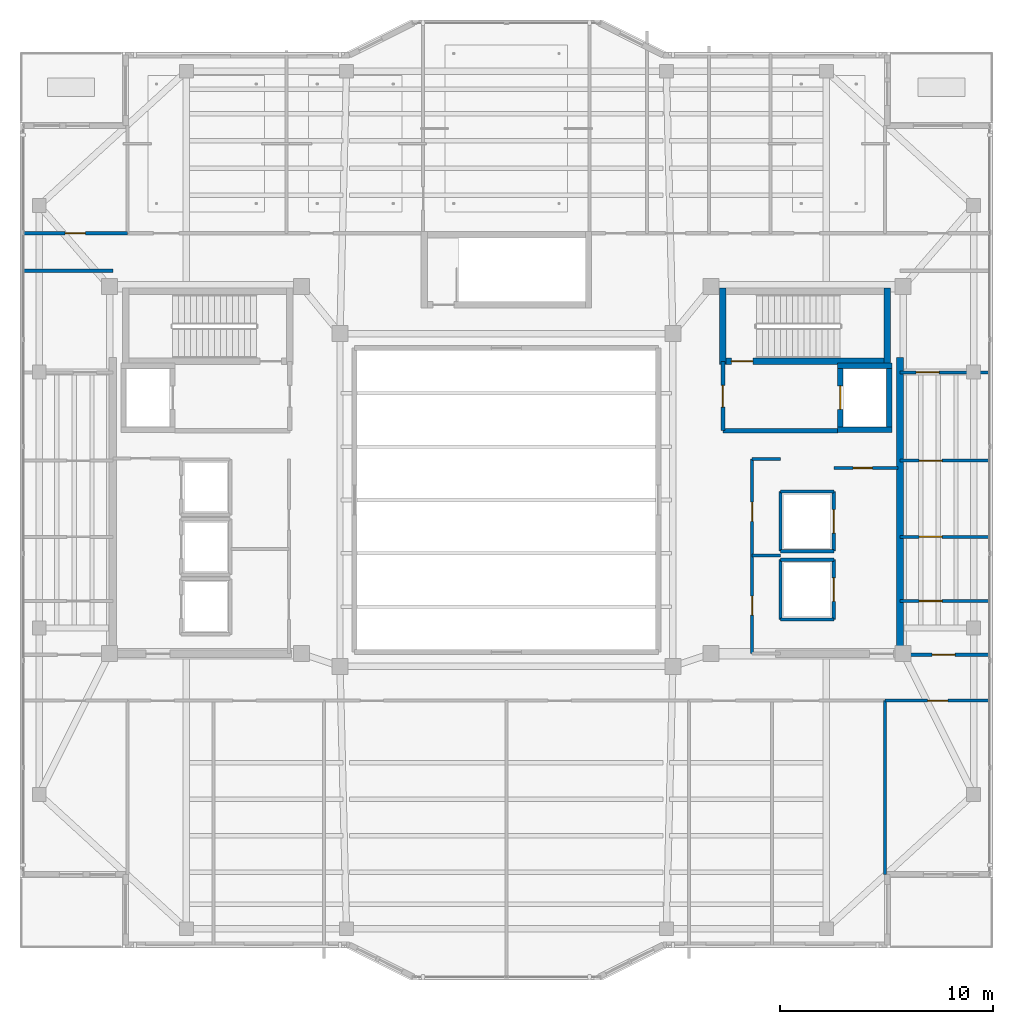
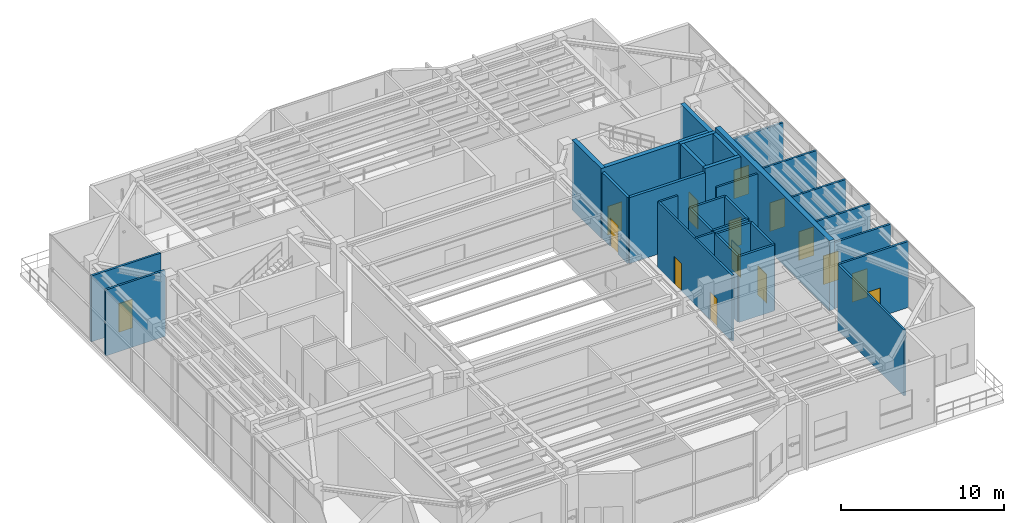
# One storey, part 16 of 23: 31 walls, 15 doors, 15 openings.
"""IFC4 building model written with IfcOpenShell, lengths in metres."""

from ifc_helpers import new_model, si_unit, direction, frame, frame_2d, origin, place, context, subcontext, project, spatial, rectangle, extrude, material, layer, layer_set, type_object, element, fill, save


model = new_model("IFC4")

# Units and contexts
model_context = context("Model", 3, precision=1e-05, world=origin(), true_north=direction((0.0, 1.0)))
body_context = subcontext(model_context, "Body", "Model", "MODEL_VIEW")
ifc_project = project(units=[si_unit("LENGTHUNIT", "METRE"), si_unit("AREAUNIT", "SQUARE_METRE"), si_unit("VOLUMEUNIT", "CUBIC_METRE"), si_unit("PLANEANGLEUNIT", "RADIAN"), si_unit("MASSUNIT", "GRAM", prefix="KILO")], contexts=[model_context])

# Site, building, storey
site_placement = place(None, origin())
site = spatial("IfcSite", under=ifc_project, at=site_placement, CompositionType="ELEMENT")
building_placement = place(site_placement, origin())
building = spatial("IfcBuilding", under=site, at=building_placement, Name="Tarnavaz Court Tower", CompositionType="ELEMENT")
storey_placement = place(building_placement, frame((0.0, 0.0, 276.300048828125)))
storey = spatial("IfcBuildingStorey", under=building, at=storey_placement, Name="L75", CompositionType="ELEMENT", Elevation=276.300048828125)

# Wall, opening, door
ifc_material_1 = material(Name="Concrete C50/60", Category="concrete")
ifc_layer_1 = layer(ifc_material_1, 0.25)
ifc_layer_set_1 = layer_set([ifc_layer_1], Name="Concrete C50/60")
wall_type_1 = type_object("IfcWallType", Name="WL-CORE-250-C50", PredefinedType="SHEAR", material=ifc_layer_set_1)
wall_1_placement = place(storey_placement, frame((15.64990234375, 3.175048828125, 0.0), z_axis=(0.0, 0.0, 1.0), x_axis=(0.0, 1.0, 0.0)))
wall_1 = element("IfcWall", 1, at=wall_1_placement, inside=storey, type_object=wall_type_1, Name="L75 Lift FL-E1 Shaft Wall 033", PredefinedType="SHEAR", context=body_context, shape_type="SweptSolid", body=[
    extrude(rectangle(XDim=3.25, YDim=0.25, at=frame_2d((1.625, 0.0))), origin(), (0.0, 0.0, 1.0), 5.25),
])
opening_1_placement = place(wall_1_placement, frame((1.074951171875, 0.0, 0.0)))
opening_1 = element("IfcOpeningElement", 2, at=opening_1_placement, cuts=wall_1, Name="Opening LD1", PredefinedType="OPENING", context=body_context, shape_type="SweptSolid", body=[
    extrude(rectangle(XDim=1.10009765625, YDim=2.14990234375, at=frame_2d((0.550048828125, 1.074951171875))), frame((0.0, 0.135009765625, 0.0), z_axis=(0.0, -1.0, 0.0), x_axis=(1.0, 0.0, 0.0)), (0.0, 0.0, 1.0), 0.27001953125),
])
ifc_material_2 = material(Name="Stainless Steel", Category="steel")
door_type_1 = type_object("IfcDoorType", Name="DR-LD-1100", OperationType="NOTDEFINED", PredefinedType="DOOR", material=ifc_material_2)
door_1_placement = place(opening_1_placement, origin())
door_1 = element("IfcDoor", 3, at=door_1_placement, inside=storey, type_object=door_type_1, Name="L75 Lift Landing Door LD-FL-E1", OperationType="SLIDING_TO_LEFT", OverallHeight=2.14990234375, OverallWidth=1.10009765625, PredefinedType="DOOR", context=body_context, shape_type="SweptSolid", body=[
    extrude(rectangle(XDim=1.10009765625, YDim=2.14990234375, at=frame_2d((0.550048828125, 1.074951171875))), frame((0.0, 0.02490234375, 0.0), z_axis=(0.0, -1.0, 0.0), x_axis=(1.0, 0.0, 0.0)), (0.0, 0.0, 1.0), 0.050048828125),
])
fill(opening_1, door_1)

# Walls
wall_2_placement = place(storey_placement, frame((17.949951171875, 3.175048828125, 0.0), z_axis=(0.0, 0.0, 1.0), x_axis=(0.0, 1.0, 0.0)))
element("IfcWall", 4, at=wall_2_placement, inside=storey, type_object=wall_type_1, Name="L75 Lift FL-E1 Shaft Wall 034", PredefinedType="SHEAR", context=body_context, shape_type="SweptSolid", body=[
    extrude(rectangle(XDim=3.25, YDim=0.25, at=frame_2d((1.625, 0.0))), origin(), (0.0, 0.0, 1.0), 5.25),
])
for number, where, z_axis, x_axis, name in (
    (5, (15.52490234375, 3.300048828125, 0.0), (0.0, 0.0, 1.0), (1.0, 0.0, 0.0), "L75 Lift FL-E1 Shaft Wall 035"),
    (6, (15.52490234375, 6.300048828125, 0.0), (0.0, 0.0, 1.0), (1.0, 0.0, 0.0), "L75 Lift FL-E1 Shaft Wall 036"),
):
    element("IfcWall", number, at=place(storey_placement, frame(where, z_axis=z_axis, x_axis=x_axis)), inside=storey, type_object=wall_type_1, Name=name, PredefinedType="SHEAR", context=body_context, shape_type="SweptSolid", body=[
        extrude(rectangle(XDim=2.550048828125, YDim=0.25, at=frame_2d((1.27490234375, 0.0))), origin(), (0.0, 0.0, 1.0), 5.25),
    ])

# Wall, opening, door
ifc_layer_2 = layer(ifc_material_1, 0.300048828125)
ifc_layer_set_2 = layer_set([ifc_layer_2], Name="Concrete C50/60")
wall_type_2 = type_object("IfcWallType", Name="WL-CORE-300-C50", PredefinedType="SHEAR", material=ifc_layer_set_2)
wall_3_placement = place(storey_placement, frame((10.0, 6.5, 0.0), z_axis=(0.0, 0.0, 1.0), x_axis=(1.0, 0.0, 0.0)))
wall_3 = element("IfcWall", 7, at=wall_3_placement, inside=storey, type_object=wall_type_2, Name="L75 East Stair Core Wall 006", PredefinedType="SHEAR", context=body_context, shape_type="SweptSolid", body=[
    extrude(rectangle(XDim=8.0, YDim=0.300048828125, at=frame_2d((4.0, 0.0))), origin(), (0.0, 0.0, 1.0), 5.25),
])
opening_2_placement = place(wall_3_placement, frame((0.550048828125, 0.0, 0.0)))
opening_2 = element("IfcOpeningElement", 8, at=opening_2_placement, cuts=wall_3, Name="Opening D01", PredefinedType="OPENING", context=body_context, shape_type="SweptSolid", body=[
    extrude(rectangle(XDim=1.0, YDim=2.14990234375, at=frame_2d((0.5, 1.074951171875))), frame((0.0, 0.159912109375, 0.0), z_axis=(0.0, -1.0, 0.0), x_axis=(1.0, 0.0, 0.0)), (0.0, 0.0, 1.0), 0.320068359375),
])
ifc_material_3 = material(Name="Fire-Rated Hardwood Timber Core", Category="wood")
door_type_2 = type_object("IfcDoorType", Name="DR-FD90-1000", OperationType="NOTDEFINED", PredefinedType="DOOR", material=ifc_material_3)
door_2_placement = place(opening_2_placement, origin())
door_2 = element("IfcDoor", 9, at=door_2_placement, inside=storey, type_object=door_type_2, Name="L75 Stair ST-E1 Exit Door", OperationType="SINGLE_SWING_RIGHT", OverallHeight=2.14990234375, OverallWidth=1.0, PredefinedType="DOOR", context=body_context, shape_type="SweptSolid", body=[
    extrude(rectangle(XDim=1.0, YDim=2.14990234375, at=frame_2d((0.5, 1.074951171875))), frame((0.0, 0.02490234375, 0.0), z_axis=(0.0, -1.0, 0.0), x_axis=(1.0, 0.0, 0.0)), (0.0, 0.0, 1.0), 0.050048828125),
])
fill(opening_2, door_2)

# Walls
for number, where, z_axis, x_axis, name in (
    (10, (10.14990234375, 6.35009765625, 0.0), (0.0, 0.0, 1.0), (0.0, 1.0, 0.0), "L75 East Stair Core Wall 007"),
    (11, (17.85009765625, 6.35009765625, 0.0), (0.0, 0.0, 1.0), (0.0, 1.0, 0.0), "L75 East Stair Core Wall 008"),
):
    element("IfcWall", number, at=place(storey_placement, frame(where, z_axis=z_axis, x_axis=x_axis)), inside=storey, type_object=wall_type_2, Name=name, PredefinedType="SHEAR", context=body_context, shape_type="SweptSolid", body=[
        extrude(rectangle(XDim=3.58984375, YDim=0.300048828125, at=frame_2d((1.794921875, 0.0))), origin(), (0.0, 0.0, 1.0), 5.25),
    ])
ifc_layer_3 = layer(ifc_material_1, 0.35009765625)
ifc_layer_set_3 = layer_set([ifc_layer_3], Name="Concrete C50/60")
wall_type_3 = type_object("IfcWallType", Name="WL-CORE-350-C50", PredefinedType="SHEAR", material=ifc_layer_set_3)
wall_4_placement = place(storey_placement, frame((18.449951171875, -7.375, 0.0), z_axis=(0.0, 0.0, 1.0), x_axis=(0.0, 1.0, 0.0)))
element("IfcWall", 12, at=wall_4_placement, inside=storey, type_object=wall_type_3, Name="L75 East Core Shear Wall 047", PredefinedType="SHEAR", context=body_context, shape_type="SweptSolid", body=[
    extrude(rectangle(XDim=14.050048828125, YDim=0.35009765625, at=frame_2d((7.02490234375, 0.0))), origin(), (0.0, 0.0, 1.0), 5.25),
])

# Wall, opening, door
ifc_material_4 = material(Name="Gypsum Fire-Board on Acoustic Metal Stud", Category="masonry")
ifc_layer_4 = layer(ifc_material_4, 0.14990234375)
ifc_layer_set_4 = layer_set([ifc_layer_4], Name="Gypsum Fire-Board on Acoustic Metal Stud")
wall_type_4 = type_object("IfcWallType", Name="WL-FIRE-150", PredefinedType="PARTITIONING", material=ifc_layer_set_4)
wall_5_placement = place(storey_placement, frame((18.449951171875, -7.25, 0.0), z_axis=(0.0, 0.0, 1.0), x_axis=(1.0, 0.0, 0.0)))
wall_5 = element("IfcWall", 13, at=wall_5_placement, inside=storey, type_object=wall_type_4, Name="L75 Interior Partition 074", PredefinedType="PARTITIONING", context=body_context, shape_type="SweptSolid", body=[
    extrude(rectangle(XDim=4.22998046875, YDim=0.14990234375, at=frame_2d((2.114990234375, 0.0))), origin(), (0.0, 0.0, 1.0), 4.949951171875),
])
opening_3_placement = place(wall_5_placement, frame((1.5, 0.0, 0.0)))
opening_3 = element("IfcOpeningElement", 14, at=opening_3_placement, cuts=wall_5, Name="Opening D12", PredefinedType="OPENING", context=body_context, shape_type="SweptSolid", body=[
    extrude(rectangle(XDim=1.080078125, YDim=2.14990234375, at=frame_2d((0.5400390625, 1.074951171875))), frame((0.0, 0.0849609375, 0.0), z_axis=(0.0, -1.0, 0.0), x_axis=(1.0, 0.0, 0.0)), (0.0, 0.0, 1.0), 0.169921875),
])
ifc_material_5 = material(Name="Engineered Oak Timber", Category="wood")
door_type_3 = type_object("IfcDoorType", Name="DR-INT-1100", OperationType="NOTDEFINED", PredefinedType="DOOR", material=ifc_material_5)
door_3_placement = place(opening_3_placement, origin())
door_3 = element("IfcDoor", 15, at=door_3_placement, inside=storey, type_object=door_type_3, Name="L75 East Suite Room 1 Door", OperationType="SINGLE_SWING_LEFT", OverallHeight=2.14990234375, OverallWidth=1.080078125, PredefinedType="DOOR", context=body_context, shape_type="SweptSolid", body=[
    extrude(rectangle(XDim=1.080078125, YDim=2.14990234375, at=frame_2d((0.5400390625, 1.074951171875))), frame((0.0, 0.02490234375, 0.0), z_axis=(0.0, -1.0, 0.0), x_axis=(1.0, 0.0, 0.0)), (0.0, 0.0, 1.0), 0.050048828125),
])
fill(opening_3, door_3)

# Wall
wall_6_placement = place(storey_placement, frame((-22.679931640625, 10.75, 0.0), z_axis=(0.0, 0.0, 1.0), x_axis=(1.0, 0.0, 0.0)))
element("IfcWall", 16, at=wall_6_placement, inside=storey, type_object=wall_type_4, Name="L75 Interior Partition 075", PredefinedType="PARTITIONING", context=body_context, shape_type="SweptSolid", body=[
    extrude(rectangle(XDim=4.22998046875, YDim=0.14990234375, at=frame_2d((2.114990234375, 0.0))), origin(), (0.0, 0.0, 1.0), 4.949951171875),
])

# Wall, opening, door
wall_7_placement = place(storey_placement, frame((-22.679931640625, 12.5, 0.0), z_axis=(0.0, 0.0, 1.0), x_axis=(1.0, 0.0, 0.0)))
wall_7 = element("IfcWall", 17, at=wall_7_placement, inside=storey, type_object=wall_type_4, Name="L75 Interior Partition 081", PredefinedType="PARTITIONING", context=body_context, shape_type="SweptSolid", body=[
    extrude(rectangle(XDim=4.929931640625, YDim=0.14990234375, at=frame_2d((2.46484375, 0.0))), origin(), (0.0, 0.0, 1.0), 4.949951171875),
])
opening_4_placement = place(wall_7_placement, frame((1.989990234375, 0.0, 0.0)))
opening_4 = element("IfcOpeningElement", 18, at=opening_4_placement, cuts=wall_7, Name="Opening D13", PredefinedType="OPENING", context=body_context, shape_type="SweptSolid", body=[
    extrude(rectangle(XDim=0.949951171875, YDim=2.14990234375, at=frame_2d((0.47509765625, 1.074951171875))), frame((0.0, 0.0849609375, 0.0), z_axis=(0.0, -1.0, 0.0), x_axis=(1.0, 0.0, 0.0)), (0.0, 0.0, 1.0), 0.169921875),
])
door_type_4 = type_object("IfcDoorType", Name="DR-INT-950", OperationType="NOTDEFINED", PredefinedType="DOOR", material=ifc_material_5)
door_4_placement = place(opening_4_placement, origin())
door_4 = element("IfcDoor", 19, at=door_4_placement, inside=storey, type_object=door_type_4, Name="L75 NW Terrace Salon Door", OperationType="SINGLE_SWING_RIGHT", OverallHeight=2.14990234375, OverallWidth=0.949951171875, PredefinedType="DOOR", context=body_context, shape_type="SweptSolid", body=[
    extrude(rectangle(XDim=0.949951171875, YDim=2.14990234375, at=frame_2d((0.47509765625, 1.074951171875))), frame((0.0, 0.02490234375, 0.0), z_axis=(0.0, -1.0, 0.0), x_axis=(1.0, 0.0, 0.0)), (0.0, 0.0, 1.0), 0.050048828125),
])
fill(opening_4, door_4)

wall_8_placement = place(storey_placement, frame((17.75, -9.39990234375, 0.0), z_axis=(0.0, 0.0, 1.0), x_axis=(1.0, 0.0, 0.0)))
wall_8 = element("IfcWall", 20, at=wall_8_placement, inside=storey, type_object=wall_type_4, Name="L75 Interior Partition 084", PredefinedType="PARTITIONING", context=body_context, shape_type="SweptSolid", body=[
    extrude(rectangle(XDim=4.929931640625, YDim=0.14990234375, at=frame_2d((2.46484375, 0.0))), origin(), (0.0, 0.0, 1.0), 4.949951171875),
])
opening_5_placement = place(wall_8_placement, frame((1.989990234375, 0.0, 0.0)))
opening_5 = element("IfcOpeningElement", 21, at=opening_5_placement, cuts=wall_8, Name="Opening D13", PredefinedType="OPENING", context=body_context, shape_type="SweptSolid", body=[
    extrude(rectangle(XDim=0.949951171875, YDim=2.14990234375, at=frame_2d((0.47509765625, 1.074951171875))), frame((0.0, 0.0849609375, 0.0), z_axis=(0.0, -1.0, 0.0), x_axis=(1.0, 0.0, 0.0)), (0.0, 0.0, 1.0), 0.169921875),
])
door_5_placement = place(opening_5_placement, origin())
door_5 = element("IfcDoor", 22, at=door_5_placement, inside=storey, type_object=door_type_4, Name="L75 SE Terrace Salon Door", OperationType="SINGLE_SWING_LEFT", OverallHeight=2.14990234375, OverallWidth=0.949951171875, PredefinedType="DOOR", context=body_context, shape_type="SweptSolid", body=[
    extrude(rectangle(XDim=0.949951171875, YDim=2.14990234375, at=frame_2d((0.47509765625, 1.074951171875))), frame((0.0, 0.02490234375, 0.0), z_axis=(0.0, -1.0, 0.0), x_axis=(1.0, 0.0, 0.0)), (0.0, 0.0, 1.0), 0.050048828125),
])
fill(opening_5, door_5)

# Wall
ifc_material_6 = material(Name="Autoclaved Aerated Concrete Blockwork", Category="masonry")
ifc_layer_5 = layer(ifc_material_6, 0.199951171875)
ifc_layer_set_5 = layer_set([ifc_layer_5], Name="Autoclaved Aerated Concrete Blockwork")
wall_type_5 = type_object("IfcWallType", Name="WL-FIRE-200", PredefinedType="SOLIDWALL", material=ifc_layer_set_5)
wall_9_placement = place(storey_placement, frame((10.14990234375, 3.25, 0.0), z_axis=(0.0, 0.0, 1.0), x_axis=(1.0, 0.0, 0.0)))
element("IfcWall", 23, at=wall_9_placement, inside=storey, type_object=wall_type_5, Name="L75 East Firefighting Lobby Wall 015", PredefinedType="SOLIDWALL", context=body_context, shape_type="SweptSolid", body=[
    extrude(rectangle(XDim=5.400146484375, YDim=0.199951171875, at=frame_2d((2.7001953125, 0.0))), origin(), (0.0, 0.0, 1.0), 4.949951171875),
])

# Wall, opening, door
wall_10_placement = place(storey_placement, frame((10.14990234375, 3.25, 0.0), z_axis=(0.0, 0.0, 1.0), x_axis=(0.0, 1.0, 0.0)))
wall_10 = element("IfcWall", 24, at=wall_10_placement, inside=storey, type_object=wall_type_5, Name="L75 East Firefighting Lobby Wall 016", PredefinedType="SOLIDWALL", context=body_context, shape_type="SweptSolid", body=[
    extrude(rectangle(XDim=3.25, YDim=0.199951171875, at=frame_2d((1.625, 0.0))), origin(), (0.0, 0.0, 1.0), 4.949951171875),
])
opening_6_placement = place(wall_10_placement, frame((1.10009765625, 0.0, 0.0)))
opening_6 = element("IfcOpeningElement", 25, at=opening_6_placement, cuts=wall_10, Name="Opening D05", PredefinedType="OPENING", context=body_context, shape_type="SweptSolid", body=[
    extrude(rectangle(XDim=1.02001953125, YDim=2.14990234375, at=frame_2d((0.510009765625, 1.074951171875))), frame((0.0, 0.10986328125, 0.0), z_axis=(0.0, -1.0, 0.0), x_axis=(1.0, 0.0, 0.0)), (0.0, 0.0, 1.0), 0.219970703125),
])
door_type_5 = type_object("IfcDoorType", Name="DR-FD60-1000", OperationType="NOTDEFINED", PredefinedType="DOOR", material=ifc_material_3)
door_6_placement = place(opening_6_placement, origin())
door_6 = element("IfcDoor", 26, at=door_6_placement, inside=storey, type_object=door_type_5, Name="L75 East Firefighting Lobby Door", OperationType="SINGLE_SWING_LEFT", OverallHeight=2.14990234375, OverallWidth=1.02001953125, PredefinedType="DOOR", context=body_context, shape_type="SweptSolid", body=[
    extrude(rectangle(XDim=1.02001953125, YDim=2.14990234375, at=frame_2d((0.510009765625, 1.074951171875))), frame((0.0, 0.02490234375, 0.0), z_axis=(0.0, -1.0, 0.0), x_axis=(1.0, 0.0, 0.0)), (0.0, 0.0, 1.0), 0.050048828125),
])
fill(opening_6, door_6)

ifc_material_7 = material(Name="Gypsum Plasterboard Acoustic Partition", Category="masonry")
ifc_layer_6 = layer(ifc_material_7, 0.139892578125)
ifc_layer_set_6 = layer_set([ifc_layer_6], Name="Gypsum Plasterboard Acoustic Partition")
wall_type_6 = type_object("IfcWallType", Name="WL-PART-150", PredefinedType="PARTITIONING", material=ifc_layer_set_6)
wall_11_placement = place(storey_placement, frame((15.35009765625, 1.5, 0.0), z_axis=(0.0, 0.0, 1.0), x_axis=(1.0, 0.0, 0.0)))
wall_11 = element("IfcWall", 27, at=wall_11_placement, inside=storey, type_object=wall_type_6, Name="L75 Interior Partition 052", PredefinedType="PARTITIONING", context=body_context, shape_type="SweptSolid", body=[
    extrude(rectangle(XDim=3.0, YDim=0.139892578125, at=frame_2d((1.5, 0.0))), origin(), (0.0, 0.0, 1.0), 4.949951171875),
])
opening_7_placement = place(wall_11_placement, frame((0.89990234375, 0.0, 0.0)))
opening_7 = element("IfcOpeningElement", 28, at=opening_7_placement, cuts=wall_11, Name="Opening D09", PredefinedType="OPENING", context=body_context, shape_type="SweptSolid", body=[
    extrude(rectangle(XDim=0.89990234375, YDim=2.080078125, at=frame_2d((0.449951171875, 1.0400390625))), frame((0.0, 0.079833984375, 0.0), z_axis=(0.0, -1.0, 0.0), x_axis=(1.0, 0.0, 0.0)), (0.0, 0.0, 1.0), 0.159912109375),
])
door_type_6 = type_object("IfcDoorType", Name="DR-FD30-900", OperationType="NOTDEFINED", PredefinedType="DOOR", material=ifc_material_3)
door_7_placement = place(opening_7_placement, origin())
door_7 = element("IfcDoor", 29, at=door_7_placement, inside=storey, type_object=door_type_6, Name="L75 East Comms Plant Door", OperationType="SINGLE_SWING_RIGHT", OverallHeight=2.080078125, OverallWidth=0.89990234375, PredefinedType="DOOR", context=body_context, shape_type="SweptSolid", body=[
    extrude(rectangle(XDim=0.89990234375, YDim=2.080078125, at=frame_2d((0.449951171875, 1.0400390625))), frame((0.0, 0.02490234375, 0.0), z_axis=(0.0, -1.0, 0.0), x_axis=(1.0, 0.0, 0.0)), (0.0, 0.0, 1.0), 0.050048828125),
])
fill(opening_7, door_7)

# Wall, openings, doors
wall_12_placement = place(storey_placement, frame((11.52001953125, -7.199951171875, 0.0), z_axis=(0.0, 0.0, 1.0), x_axis=(0.0, 1.0, 0.0)))
wall_12 = element("IfcWall", 30, at=wall_12_placement, inside=storey, type_object=wall_type_6, Name="L75 Interior Partition 053", PredefinedType="PARTITIONING", context=body_context, shape_type="SweptSolid", body=[
    extrude(rectangle(XDim=9.119873046875, YDim=0.139892578125, at=frame_2d((4.56005859375, 0.0))), origin(), (0.0, 0.0, 1.0), 4.949951171875),
])
opening_8_placement = place(wall_12_placement, frame((1.800048828125, 0.0, 0.0)))
opening_8 = element("IfcOpeningElement", 31, at=opening_8_placement, cuts=wall_12, Name="Opening D09", PredefinedType="OPENING", context=body_context, shape_type="SweptSolid", body=[
    extrude(rectangle(XDim=0.89990234375, YDim=2.080078125, at=frame_2d((0.449951171875, 1.0400390625))), frame((0.0, 0.079833984375, 0.0), z_axis=(0.0, -1.0, 0.0), x_axis=(1.0, 0.0, 0.0)), (0.0, 0.0, 1.0), 0.159912109375),
])
opening_9_placement = place(wall_12_placement, frame((6.199951171875, 0.0, 0.0)))
opening_9 = element("IfcOpeningElement", 32, at=opening_9_placement, cuts=wall_12, Name="Opening D09", PredefinedType="OPENING", context=body_context, shape_type="SweptSolid", body=[
    extrude(rectangle(XDim=0.89990234375, YDim=2.080078125, at=frame_2d((0.449951171875, 1.0400390625))), frame((0.0, 0.079833984375, 0.0), z_axis=(0.0, -1.0, 0.0), x_axis=(1.0, 0.0, 0.0)), (0.0, 0.0, 1.0), 0.159912109375),
])
door_8_placement = place(opening_8_placement, origin())
door_8 = element("IfcDoor", 33, at=door_8_placement, inside=storey, type_object=door_type_6, Name="L75 East Sky Housekeeping Door", OperationType="SINGLE_SWING_LEFT", OverallHeight=2.080078125, OverallWidth=0.89990234375, PredefinedType="DOOR", context=body_context, shape_type="SweptSolid", body=[
    extrude(rectangle(XDim=0.89990234375, YDim=2.080078125, at=frame_2d((0.449951171875, 1.0400390625))), frame((0.0, 0.02490234375, 0.0), z_axis=(0.0, -1.0, 0.0), x_axis=(1.0, 0.0, 0.0)), (0.0, 0.0, 1.0), 0.050048828125),
])
fill(opening_8, door_8)
door_9_placement = place(opening_9_placement, origin())
door_9 = element("IfcDoor", 34, at=door_9_placement, inside=storey, type_object=door_type_6, Name="L75 East Sky Meter Room Door", OperationType="SINGLE_SWING_RIGHT", OverallHeight=2.080078125, OverallWidth=0.89990234375, PredefinedType="DOOR", context=body_context, shape_type="SweptSolid", body=[
    extrude(rectangle(XDim=0.89990234375, YDim=2.080078125, at=frame_2d((0.449951171875, 1.0400390625))), frame((0.0, 0.02490234375, 0.0), z_axis=(0.0, -1.0, 0.0), x_axis=(1.0, 0.0, 0.0)), (0.0, 0.0, 1.0), 0.050048828125),
])
fill(opening_9, door_9)

# Walls
for number, where, z_axis, x_axis, name in (
    (35, (11.52001953125, 1.919921875, 0.0), (0.0, 0.0, 1.0), (1.0, 0.0, 0.0), "L75 Interior Partition 054"),
    (36, (11.52001953125, -2.60009765625, 0.0), (0.0, 0.0, 1.0), (1.0, 0.0, 0.0), "L75 Interior Partition 056"),
):
    element("IfcWall", number, at=place(storey_placement, frame(where, z_axis=z_axis, x_axis=x_axis)), inside=storey, type_object=wall_type_6, Name=name, PredefinedType="PARTITIONING", context=body_context, shape_type="SweptSolid", body=[
        extrude(rectangle(XDim=1.330078125, YDim=0.139892578125, at=frame_2d((0.6650390625, 0.0))), origin(), (0.0, 0.0, 1.0), 4.949951171875),
    ])
wall_13_placement = place(storey_placement, frame((17.75, -17.550048828125, 0.0), z_axis=(0.0, 0.0, 1.0), x_axis=(0.0, 1.0, 0.0)))
element("IfcWall", 37, at=wall_13_placement, inside=storey, type_object=wall_type_6, Name="L75 Interior Partition 078", PredefinedType="PARTITIONING", context=body_context, shape_type="SweptSolid", body=[
    extrude(rectangle(XDim=8.150146484375, YDim=0.139892578125, at=frame_2d((4.0751953125, 0.0))), origin(), (0.0, 0.0, 1.0), 4.949951171875),
])

# Wall, opening, door
wall_14_placement = place(storey_placement, frame((18.449951171875, -4.73291015625, 0.0), z_axis=(0.0, 0.0, 1.0), x_axis=(1.0, 0.0, 0.0)))
wall_14 = element("IfcWall", 38, at=wall_14_placement, inside=storey, type_object=wall_type_6, Name="L75 Interior Partition 089", PredefinedType="PARTITIONING", context=body_context, shape_type="SweptSolid", body=[
    extrude(rectangle(XDim=4.22998046875, YDim=0.139892578125, at=frame_2d((2.114990234375, 0.0))), origin(), (0.0, 0.0, 1.0), 4.949951171875),
])
opening_10_placement = place(wall_14_placement, frame((0.89990234375, 0.0, 0.0)))
opening_10 = element("IfcOpeningElement", 39, at=opening_10_placement, cuts=wall_14, Name="Opening D12", PredefinedType="OPENING", context=body_context, shape_type="SweptSolid", body=[
    extrude(rectangle(XDim=1.080078125, YDim=2.14990234375, at=frame_2d((0.5400390625, 1.074951171875))), frame((0.0, 0.079833984375, 0.0), z_axis=(0.0, -1.0, 0.0), x_axis=(1.0, 0.0, 0.0)), (0.0, 0.0, 1.0), 0.159912109375),
])
door_10_placement = place(opening_10_placement, origin())
door_10 = element("IfcDoor", 40, at=door_10_placement, inside=storey, type_object=door_type_3, Name="L75 East Suite Room 2 Door", OperationType="SINGLE_SWING_RIGHT", OverallHeight=2.14990234375, OverallWidth=1.080078125, PredefinedType="DOOR", context=body_context, shape_type="SweptSolid", body=[
    extrude(rectangle(XDim=1.080078125, YDim=2.14990234375, at=frame_2d((0.5400390625, 1.074951171875))), frame((0.0, 0.02490234375, 0.0), z_axis=(0.0, -1.0, 0.0), x_axis=(1.0, 0.0, 0.0)), (0.0, 0.0, 1.0), 0.050048828125),
])
fill(opening_10, door_10)

wall_15_placement = place(storey_placement, frame((18.449951171875, -1.72412109375, 0.0), z_axis=(0.0, 0.0, 1.0), x_axis=(1.0, 0.0, 0.0)))
wall_15 = element("IfcWall", 41, at=wall_15_placement, inside=storey, type_object=wall_type_6, Name="L75 Interior Partition 090", PredefinedType="PARTITIONING", context=body_context, shape_type="SweptSolid", body=[
    extrude(rectangle(XDim=4.22998046875, YDim=0.139892578125, at=frame_2d((2.114990234375, 0.0))), origin(), (0.0, 0.0, 1.0), 4.949951171875),
])
opening_11_placement = place(wall_15_placement, frame((0.89990234375, 0.0, 0.0)))
opening_11 = element("IfcOpeningElement", 42, at=opening_11_placement, cuts=wall_15, Name="Opening D12", PredefinedType="OPENING", context=body_context, shape_type="SweptSolid", body=[
    extrude(rectangle(XDim=1.080078125, YDim=2.14990234375, at=frame_2d((0.5400390625, 1.074951171875))), frame((0.0, 0.079833984375, 0.0), z_axis=(0.0, -1.0, 0.0), x_axis=(1.0, 0.0, 0.0)), (0.0, 0.0, 1.0), 0.159912109375),
])
door_11_placement = place(opening_11_placement, origin())
door_11 = element("IfcDoor", 43, at=door_11_placement, inside=storey, type_object=door_type_3, Name="L75 East Suite Room 3 Door", OperationType="SINGLE_SWING_LEFT", OverallHeight=2.14990234375, OverallWidth=1.080078125, PredefinedType="DOOR", context=body_context, shape_type="SweptSolid", body=[
    extrude(rectangle(XDim=1.080078125, YDim=2.14990234375, at=frame_2d((0.5400390625, 1.074951171875))), frame((0.0, 0.02490234375, 0.0), z_axis=(0.0, -1.0, 0.0), x_axis=(1.0, 0.0, 0.0)), (0.0, 0.0, 1.0), 0.050048828125),
])
fill(opening_11, door_11)

wall_16_placement = place(storey_placement, frame((18.449951171875, 1.847900390625, 0.0), z_axis=(0.0, 0.0, 1.0), x_axis=(1.0, 0.0, 0.0)))
wall_16 = element("IfcWall", 44, at=wall_16_placement, inside=storey, type_object=wall_type_6, Name="L75 Interior Partition 091", PredefinedType="PARTITIONING", context=body_context, shape_type="SweptSolid", body=[
    extrude(rectangle(XDim=4.22998046875, YDim=0.139892578125, at=frame_2d((2.114990234375, 0.0))), origin(), (0.0, 0.0, 1.0), 4.949951171875),
])
opening_12_placement = place(wall_16_placement, frame((0.89990234375, 0.0, 0.0)))
opening_12 = element("IfcOpeningElement", 45, at=opening_12_placement, cuts=wall_16, Name="Opening D12", PredefinedType="OPENING", context=body_context, shape_type="SweptSolid", body=[
    extrude(rectangle(XDim=1.080078125, YDim=2.14990234375, at=frame_2d((0.5400390625, 1.074951171875))), frame((0.0, 0.079833984375, 0.0), z_axis=(0.0, -1.0, 0.0), x_axis=(1.0, 0.0, 0.0)), (0.0, 0.0, 1.0), 0.159912109375),
])
door_12_placement = place(opening_12_placement, origin())
door_12 = element("IfcDoor", 46, at=door_12_placement, inside=storey, type_object=door_type_3, Name="L75 East Suite Room 4 Door", OperationType="SINGLE_SWING_RIGHT", OverallHeight=2.14990234375, OverallWidth=1.080078125, PredefinedType="DOOR", context=body_context, shape_type="SweptSolid", body=[
    extrude(rectangle(XDim=1.080078125, YDim=2.14990234375, at=frame_2d((0.5400390625, 1.074951171875))), frame((0.0, 0.02490234375, 0.0), z_axis=(0.0, -1.0, 0.0), x_axis=(1.0, 0.0, 0.0)), (0.0, 0.0, 1.0), 0.050048828125),
])
fill(opening_12, door_12)

wall_17_placement = place(storey_placement, frame((18.449951171875, 5.98291015625, 0.0), z_axis=(0.0, 0.0, 1.0), x_axis=(1.0, 0.0, 0.0)))
wall_17 = element("IfcWall", 47, at=wall_17_placement, inside=storey, type_object=wall_type_6, Name="L75 Interior Partition 092", PredefinedType="PARTITIONING", context=body_context, shape_type="SweptSolid", body=[
    extrude(rectangle(XDim=4.22998046875, YDim=0.139892578125, at=frame_2d((2.114990234375, 0.0))), origin(), (0.0, 0.0, 1.0), 4.534912109375),
])
opening_13_placement = place(wall_17_placement, frame((0.75, 0.0, 0.0)))
opening_13 = element("IfcOpeningElement", 48, at=opening_13_placement, cuts=wall_17, Name="Opening D12", PredefinedType="OPENING", context=body_context, shape_type="SweptSolid", body=[
    extrude(rectangle(XDim=1.080078125, YDim=2.14990234375, at=frame_2d((0.5400390625, 1.074951171875))), frame((0.0, 0.079833984375, 0.0), z_axis=(0.0, -1.0, 0.0), x_axis=(1.0, 0.0, 0.0)), (0.0, 0.0, 1.0), 0.159912109375),
])
door_13_placement = place(opening_13_placement, origin())
door_13 = element("IfcDoor", 49, at=door_13_placement, inside=storey, type_object=door_type_3, Name="L75 East Suite Room 5 Door", OperationType="SINGLE_SWING_LEFT", OverallHeight=2.14990234375, OverallWidth=1.080078125, PredefinedType="DOOR", context=body_context, shape_type="SweptSolid", body=[
    extrude(rectangle(XDim=1.080078125, YDim=2.14990234375, at=frame_2d((0.5400390625, 1.074951171875))), frame((0.0, 0.02490234375, 0.0), z_axis=(0.0, -1.0, 0.0), x_axis=(1.0, 0.0, 0.0)), (0.0, 0.0, 1.0), 0.050048828125),
])
fill(opening_13, door_13)

# Wall
ifc_layer_7 = layer(ifc_material_6, 0.159912109375)
ifc_layer_set_7 = layer_set([ifc_layer_7], Name="Autoclaved Aerated Concrete Blockwork")
wall_type_7 = type_object("IfcWallType", Name="WL-SHAFT-150", PredefinedType="SOLIDWALL", material=ifc_layer_set_7)
wall_18_placement = place(storey_placement, frame((12.85009765625, -5.60009765625, 0.0), z_axis=(0.0, 0.0, 1.0), x_axis=(0.0, 1.0, 0.0)))
element("IfcWall", 50, at=wall_18_placement, inside=storey, type_object=wall_type_7, Name="L75 Lift PL-OB1 Shaft Wall 037", PredefinedType="SOLIDWALL", context=body_context, shape_type="SweptSolid", body=[
    extrude(rectangle(XDim=2.800048828125, YDim=0.159912109375, at=frame_2d((1.39990234375, 0.0))), origin(), (0.0, 0.0, 1.0), 4.949951171875),
])

# Wall, opening, door
wall_19_placement = place(storey_placement, frame((15.35009765625, -5.60009765625, 0.0), z_axis=(0.0, 0.0, 1.0), x_axis=(0.0, 1.0, 0.0)))
wall_19 = element("IfcWall", 51, at=wall_19_placement, inside=storey, type_object=wall_type_7, Name="L75 Lift PL-OB1 Shaft Wall 038", PredefinedType="SOLIDWALL", context=body_context, shape_type="SweptSolid", body=[
    extrude(rectangle(XDim=2.800048828125, YDim=0.159912109375, at=frame_2d((1.39990234375, 0.0))), origin(), (0.0, 0.0, 1.0), 4.949951171875),
])
opening_14_placement = place(wall_19_placement, frame((0.85009765625, 0.0, 0.0)))
opening_14 = element("IfcOpeningElement", 52, at=opening_14_placement, cuts=wall_19, Name="Opening LD1", PredefinedType="OPENING", context=body_context, shape_type="SweptSolid", body=[
    extrude(rectangle(XDim=1.10009765625, YDim=2.14990234375, at=frame_2d((0.550048828125, 1.074951171875))), frame((0.0, 0.08984375, 0.0), z_axis=(0.0, -1.0, 0.0), x_axis=(1.0, 0.0, 0.0)), (0.0, 0.0, 1.0), 0.179931640625),
])
door_14_placement = place(opening_14_placement, origin())
door_14 = element("IfcDoor", 53, at=door_14_placement, inside=storey, type_object=door_type_1, Name="L75 Lift Landing Door LD-PL-OB1", OperationType="SLIDING_TO_LEFT", OverallHeight=2.14990234375, OverallWidth=1.10009765625, PredefinedType="DOOR", context=body_context, shape_type="SweptSolid", body=[
    extrude(rectangle(XDim=1.10009765625, YDim=2.14990234375, at=frame_2d((0.550048828125, 1.074951171875))), frame((0.0, 0.02490234375, 0.0), z_axis=(0.0, -1.0, 0.0), x_axis=(1.0, 0.0, 0.0)), (0.0, 0.0, 1.0), 0.050048828125),
])
fill(opening_14, door_14)

# Walls
for number, where, z_axis, x_axis, name in (
    (54, (12.85009765625, -5.60009765625, 0.0), (0.0, 0.0, 1.0), (1.0, 0.0, 0.0), "L75 Lift PL-OB1 Shaft Wall 039"),
    (55, (12.85009765625, -2.800048828125, 0.0), (0.0, 0.0, 1.0), (1.0, 0.0, 0.0), "L75 Lift PL-OB1 Shaft Wall 040"),
):
    element("IfcWall", number, at=place(storey_placement, frame(where, z_axis=z_axis, x_axis=x_axis)), inside=storey, type_object=wall_type_7, Name=name, PredefinedType="SOLIDWALL", context=body_context, shape_type="SweptSolid", body=[
        extrude(rectangle(XDim=2.5, YDim=0.159912109375, at=frame_2d((1.25, 0.0))), origin(), (0.0, 0.0, 1.0), 4.949951171875),
    ])
wall_20_placement = place(storey_placement, frame((12.85009765625, -2.39990234375, 0.0), z_axis=(0.0, 0.0, 1.0), x_axis=(0.0, 1.0, 0.0)))
element("IfcWall", 56, at=wall_20_placement, inside=storey, type_object=wall_type_7, Name="L75 Lift PL-OB2 Shaft Wall 041", PredefinedType="SOLIDWALL", context=body_context, shape_type="SweptSolid", body=[
    extrude(rectangle(XDim=2.7998046875, YDim=0.159912109375, at=frame_2d((1.39990234375, 0.0))), origin(), (0.0, 0.0, 1.0), 4.949951171875),
])

# Wall, opening, door
wall_21_placement = place(storey_placement, frame((15.35009765625, -2.39990234375, 0.0), z_axis=(0.0, 0.0, 1.0), x_axis=(0.0, 1.0, 0.0)))
wall_21 = element("IfcWall", 57, at=wall_21_placement, inside=storey, type_object=wall_type_7, Name="L75 Lift PL-OB2 Shaft Wall 042", PredefinedType="SOLIDWALL", context=body_context, shape_type="SweptSolid", body=[
    extrude(rectangle(XDim=2.7998046875, YDim=0.159912109375, at=frame_2d((1.39990234375, 0.0))), origin(), (0.0, 0.0, 1.0), 4.949951171875),
])
opening_15_placement = place(wall_21_placement, frame((0.85009765625, 0.0, 0.0)))
opening_15 = element("IfcOpeningElement", 58, at=opening_15_placement, cuts=wall_21, Name="Opening LD1", PredefinedType="OPENING", context=body_context, shape_type="SweptSolid", body=[
    extrude(rectangle(XDim=1.10009765625, YDim=2.14990234375, at=frame_2d((0.550048828125, 1.074951171875))), frame((0.0, 0.08984375, 0.0), z_axis=(0.0, -1.0, 0.0), x_axis=(1.0, 0.0, 0.0)), (0.0, 0.0, 1.0), 0.179931640625),
])
door_15_placement = place(opening_15_placement, origin())
door_15 = element("IfcDoor", 59, at=door_15_placement, inside=storey, type_object=door_type_1, Name="L75 Lift Landing Door LD-PL-OB2", OperationType="SLIDING_TO_LEFT", OverallHeight=2.14990234375, OverallWidth=1.10009765625, PredefinedType="DOOR", context=body_context, shape_type="SweptSolid", body=[
    extrude(rectangle(XDim=1.10009765625, YDim=2.14990234375, at=frame_2d((0.550048828125, 1.074951171875))), frame((0.0, 0.02490234375, 0.0), z_axis=(0.0, -1.0, 0.0), x_axis=(1.0, 0.0, 0.0)), (0.0, 0.0, 1.0), 0.050048828125),
])
fill(opening_15, door_15)

# Walls
for number, where, z_axis, x_axis, name in (
    (60, (12.85009765625, -2.39990234375, 0.0), (0.0, 0.0, 1.0), (1.0, 0.0, 0.0), "L75 Lift PL-OB2 Shaft Wall 043"),
    (61, (12.85009765625, 0.39990234375, 0.0), (0.0, 0.0, 1.0), (1.0, 0.0, 0.0), "L75 Lift PL-OB2 Shaft Wall 044"),
):
    element("IfcWall", number, at=place(storey_placement, frame(where, z_axis=z_axis, x_axis=x_axis)), inside=storey, type_object=wall_type_7, Name=name, PredefinedType="SOLIDWALL", context=body_context, shape_type="SweptSolid", body=[
        extrude(rectangle(XDim=2.5, YDim=0.159912109375, at=frame_2d((1.25, 0.0))), origin(), (0.0, 0.0, 1.0), 4.949951171875),
    ])

save(model, "model.ifc")
